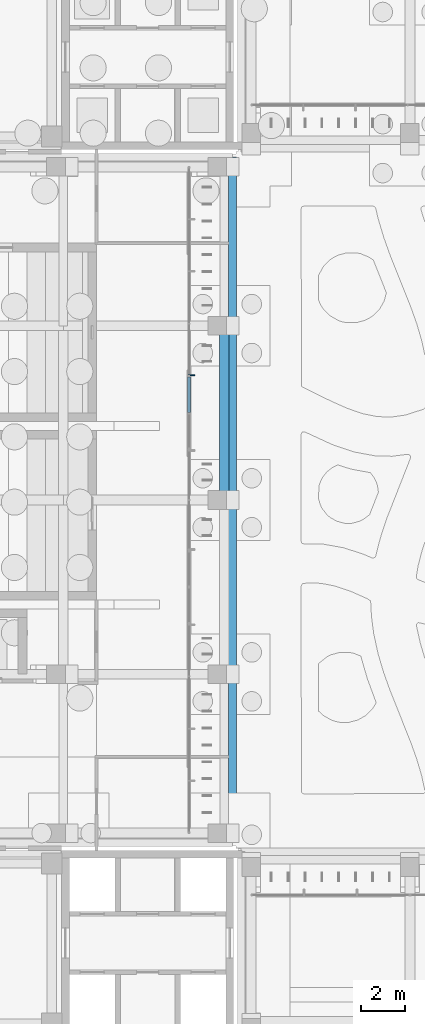
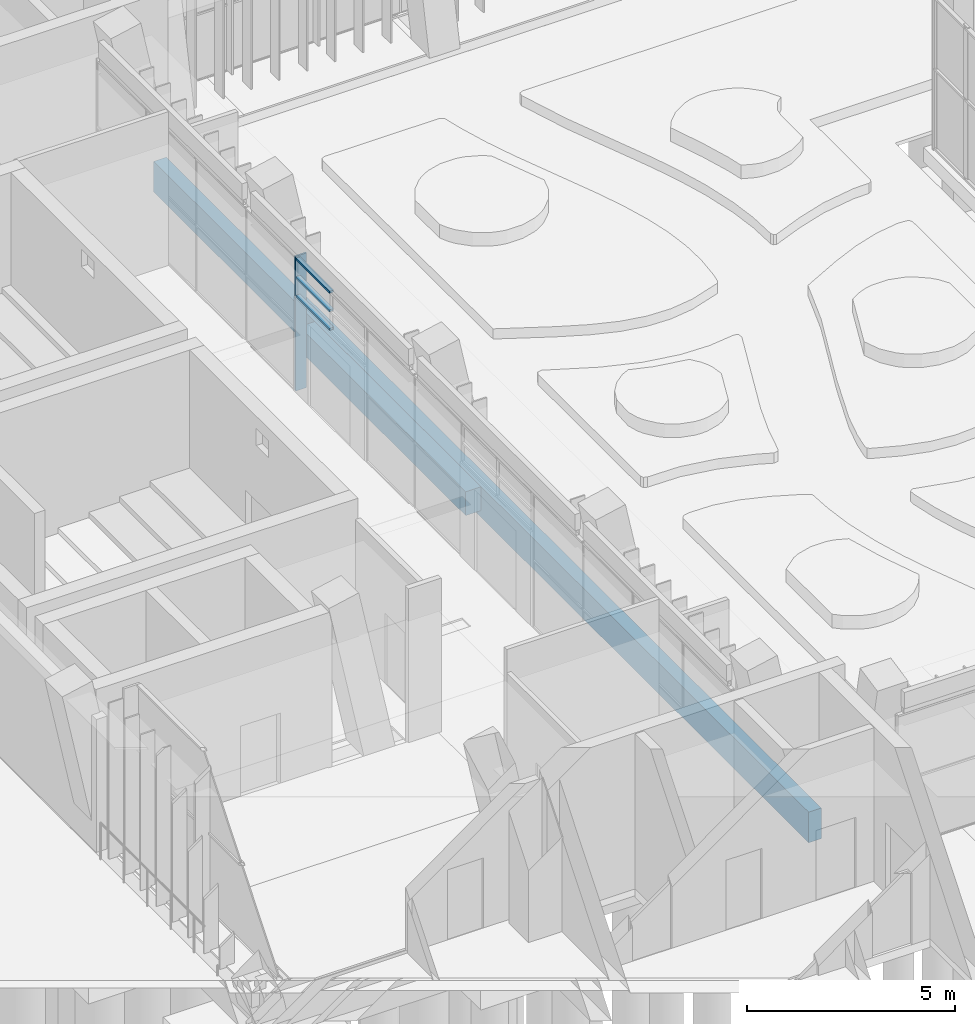
# One storey, part 50 of 144: 4 members, 2 beams, 2 elements without a shape of their own.
"""IFC4 building model written with IfcOpenShell, lengths in metres."""

from ifc_helpers import new_model, si_unit, direction, frame, origin, origin_2d, place, context, subcontext, project, spatial, rectangle, extrude, material, material_profile, profile_set, type_object, element, aggregate, save


model = new_model("IFC4")

# Units and contexts
model_context = context("Model", 3, precision=1e-05, world=origin(), true_north=direction((0.0, 1.0)))
body_context = subcontext(model_context, "Body", "Model", "MODEL_VIEW")
ifc_project = project(units=[si_unit("LENGTHUNIT", "METRE"), si_unit("AREAUNIT", "SQUARE_METRE"), si_unit("VOLUMEUNIT", "CUBIC_METRE"), si_unit("PLANEANGLEUNIT", "RADIAN"), si_unit("MASSUNIT", "GRAM", prefix="KILO")], contexts=[model_context])

# Site, building, storey
site_placement = place(None, origin())
site = spatial("IfcSite", under=ifc_project, at=site_placement, CompositionType="ELEMENT")
building_placement = place(site_placement, origin())
building = spatial("IfcBuilding", under=site, at=building_placement, Name="Lantern Court Media Centre", CompositionType="ELEMENT")
storey_placement = place(building_placement, origin())
storey = spatial("IfcBuildingStorey", under=building, at=storey_placement, Name="L00", CompositionType="ELEMENT", Elevation=0.0)

# Curtain wall, member
ifc_material_1 = material(Name="Curtain wall bay 2400")
curtain_wall_type_1 = type_object("IfcCurtainWallType", Name="Curtain wall bay 2400", PredefinedType="NOTDEFINED", material=ifc_material_1)
curtain_wall_1_placement = place(storey_placement, origin())
curtain_wall_1 = element("IfcCurtainWall", 1, at=curtain_wall_1_placement, inside=storey, type_object=curtain_wall_type_1, Name="Curtain wall W inner L00", PredefinedType="NOTDEFINED")
ifc_material_2 = material(Name="Anodised aluminium", Category="aluminium")
ifc_material_profile_1 = material_profile(ifc_material_2, rectangle(XDim=0.300048828125, YDim=0.050048828125, at=origin_2d()), Name="AL 50x300")
ifc_profile_set_1 = profile_set([ifc_material_profile_1], Name="Anodised aluminium")
member_type_1 = type_object("IfcMemberType", Name="Curtain wall mullion 50x300", PredefinedType="MULLION", material=ifc_profile_set_1)
member_1_placement = place(storey_placement, frame((21.969970703125, 85.72509765625, 0.0), z_axis=(0.0, 0.0, 1.0), x_axis=(-1.0, 0.0, 0.0)))
member_1 = element("IfcMember", 2, at=member_1_placement, type_object=member_type_1, Name="CW2 mullion 1", PredefinedType="MULLION", context=body_context, shape_type="SweptSolid", body=[
    extrude(rectangle(XDim=0.300048828125, YDim=0.050048828125, at=origin_2d()), origin(), (0.0, 0.0, 1.0), 3.949951171875),
])
aggregate(curtain_wall_1, [member_1])

# Curtain wall, members
ifc_material_3 = material(Name="Curtain wall bay 1700")
curtain_wall_type_2 = type_object("IfcCurtainWallType", Name="Curtain wall bay 1700", PredefinedType="NOTDEFINED", material=ifc_material_3)
curtain_wall_2_placement = place(storey_placement, origin())
curtain_wall_2 = element("IfcCurtainWall", 3, at=curtain_wall_2_placement, inside=storey, type_object=curtain_wall_type_2, Name="Curtain wall W inner L00", PredefinedType="NOTDEFINED")
ifc_material_profile_2 = material_profile(ifc_material_2, rectangle(XDim=0.1201171875, YDim=0.06005859375, at=origin_2d()), Name="AL 60x120")
ifc_profile_set_2 = profile_set([ifc_material_profile_2], Name="Anodised aluminium")
member_type_2 = type_object("IfcMemberType", Name="Curtain wall transom 60x120", PredefinedType="USERDEFINED", material=ifc_profile_set_2)
member_2_placement = place(storey_placement, frame((21.85009765625, 84.030029296875, 2.830078125), z_axis=(0.0, 1.0, 0.0), x_axis=(-1.0, 0.0, 0.0)))
member_2 = element("IfcMember", 4, at=member_2_placement, type_object=member_type_2, Name="CW4 transom 2.1", ObjectType="TRANSOM", PredefinedType="USERDEFINED", context=body_context, shape_type="SweptSolid", body=[
    extrude(rectangle(XDim=0.1201171875, YDim=0.06005859375, at=origin_2d()), origin(), (0.0, 0.0, 1.0), 1.60986328125),
])
member_3_placement = place(storey_placement, frame((21.85009765625, 84.030029296875, 3.375), z_axis=(0.0, 1.0, 0.0), x_axis=(-1.0, 0.0, 0.0)))
member_3 = element("IfcMember", 5, at=member_3_placement, type_object=member_type_2, Name="CW4 transom 2.2", ObjectType="TRANSOM", PredefinedType="USERDEFINED", context=body_context, shape_type="SweptSolid", body=[
    extrude(rectangle(XDim=0.1201171875, YDim=0.06005859375, at=origin_2d()), origin(), (0.0, 0.0, 1.0), 1.60986328125),
])
member_4_placement = place(storey_placement, frame((21.85009765625, 84.030029296875, 3.919921875), z_axis=(0.0, 1.0, 0.0), x_axis=(-1.0, 0.0, 0.0)))
member_4 = element("IfcMember", 6, at=member_4_placement, type_object=member_type_2, Name="CW4 transom 2.3", ObjectType="TRANSOM", PredefinedType="USERDEFINED", context=body_context, shape_type="SweptSolid", body=[
    extrude(rectangle(XDim=0.1201171875, YDim=0.06005859375, at=origin_2d()), origin(), (0.0, 0.0, 1.0), 1.60986328125),
])
aggregate(curtain_wall_2, [member_2, member_3, member_4])

# Beams
ifc_material_4 = material(Name="Concrete C35", Category="concrete")
ifc_material_profile_3 = material_profile(ifc_material_4, rectangle(XDim=0.35009765625, YDim=0.89990234375, at=origin_2d()), Name="RC 350x900")
ifc_profile_set_3 = profile_set([ifc_material_profile_3], Name="Concrete C35")
beam_type_1 = type_object("IfcBeamType", Name="RC BEAM 350x900", PredefinedType="BEAM", material=ifc_profile_set_3)
beam_1_placement = place(storey_placement, frame((23.85009765625, 64.25, -0.449951171875), z_axis=(0.0, 1.0, 0.0), x_axis=(-1.0, 0.0, 0.0)))
element("IfcBeam", 7, at=beam_1_placement, inside=storey, type_object=beam_type_1, Name="EB-W-L00-B", PredefinedType="BEAM", context=body_context, shape_type="SweptSolid", body=[
    extrude(rectangle(XDim=0.35009765625, YDim=0.89990234375, at=origin_2d()), origin(), (0.0, 0.0, 1.0), 31.5),
])
ifc_material_profile_4 = material_profile(ifc_material_4, rectangle(XDim=0.449951171875, YDim=0.699951171875, at=origin_2d()), Name="RC 450x700")
ifc_profile_set_4 = profile_set([ifc_material_profile_4], Name="Concrete C35")
beam_type_2 = type_object("IfcBeamType", Name="RC BEAM 450x700", PredefinedType="BEAM", material=ifc_profile_set_4)
beam_2_placement = place(storey_placement, frame((23.472900390625, 80.0, -0.35009765625), z_axis=(0.0, 1.0, 0.0), x_axis=(-1.0, 0.0, 0.0)))
element("IfcBeam", 8, at=beam_2_placement, inside=storey, type_object=beam_type_2, Name="LB-W-L00-2-2", PredefinedType="BEAM", context=body_context, shape_type="SweptSolid", body=[
    extrude(rectangle(XDim=0.449951171875, YDim=0.699951171875, at=origin_2d()), origin(), (0.0, 0.0, 1.0), 8.0),
])

save(model, "model.ifc")
